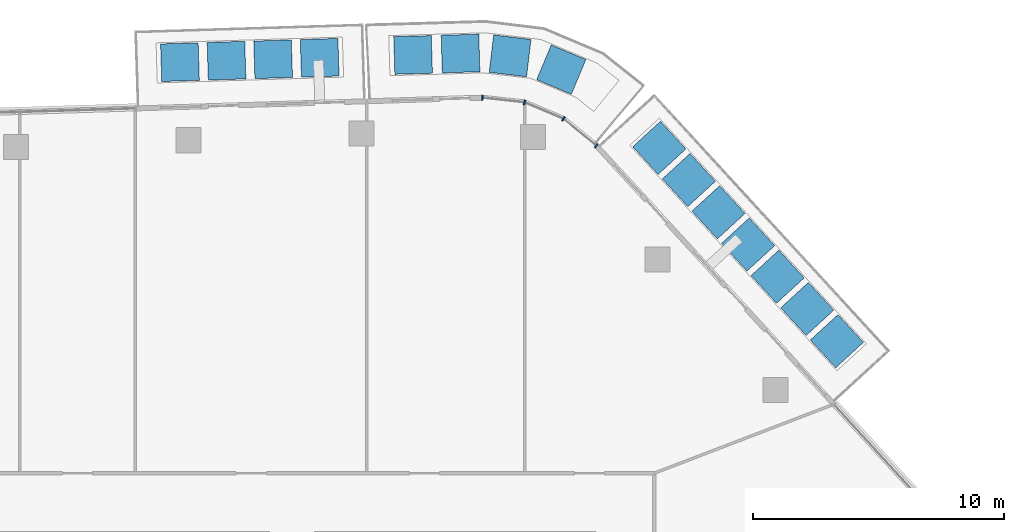
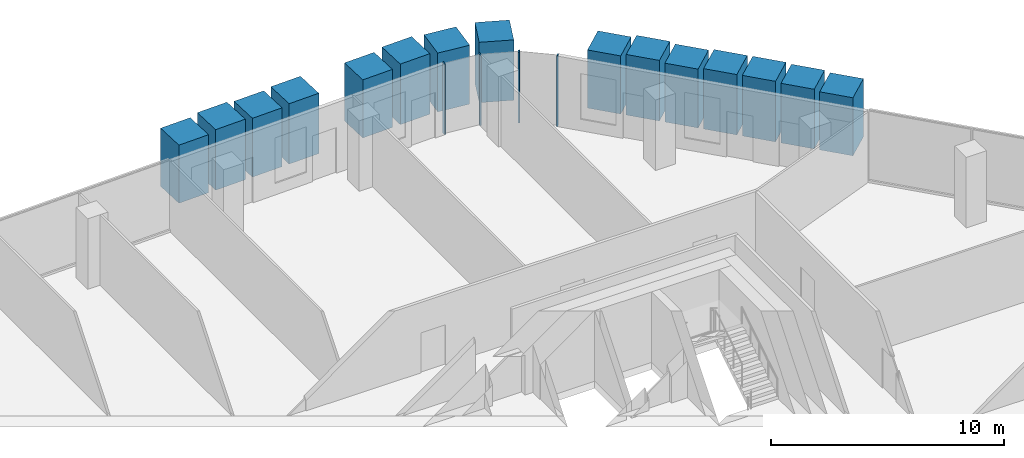
# One storey, part 9 of 24: 19 members, 1 element without a shape of its own.
"""IFC4 building model written with IfcOpenShell, lengths in metres."""

import ifcopenshell
import ifcopenshell.guid

model = None  # the IFC model being written
_history = None  # IfcOwnerHistory: only IFC2X3 demands one
_inside = {}  # id of a spatial element -> (the spatial element, [elements in it])
_under = {}  # id of a project, library or spatial element -> (it, [spatial elements below it])
_declared = {}  # id of a project -> (the project, [libraries it declares])
_typed = {}  # id of a type object -> (the type object, [elements of that type])
_made_of = {}  # id of a material, layer set ... -> (it, [elements and type objects made of it])


def new_model(schema):
    """Start an empty IFC model of exactly this schema.

    Asked for "IFC4X3", IfcOpenShell would pick the latest addendum, in which some entities
    have other attributes; the version numbers below select the first issue.
    IFC2X3 requires an IfcOwnerHistory on every rooted entity: one is made here for all.
    """
    global model, _history
    if schema == "IFC4X3":
        model = ifcopenshell.file(schema_version=(4, 3, 0, 0))
    else:
        model = ifcopenshell.file(schema=schema)
    _inside.clear()
    _under.clear()
    _declared.clear()
    _typed.clear()
    _made_of.clear()
    _history = None
    if model.schema == "IFC2X3":
        org = make("IfcOrganization", Name="unknown")
        user = make(
            "IfcPersonAndOrganization",
            ThePerson=make("IfcPerson", FamilyName="unknown"),
            TheOrganization=org,
        )
        app = make(
            "IfcApplication",
            ApplicationDeveloper=org,
            Version="unknown",
            ApplicationFullName="unknown",
            ApplicationIdentifier="unknown",
        )
        _history = make(
            "IfcOwnerHistory",
            OwningUser=user,
            OwningApplication=app,
            ChangeAction="ADDED",
            CreationDate=0,
        )
    return model


def make(cls, **values):
    """One entity of the class cls with the attributes given. An attribute that is None is left unset."""
    return model.create_entity(
        cls, **{name: value for name, value in values.items() if value is not None}
    )


def rooted(cls, **values):
    """An entity with a GlobalId (a new one), such as an element, a storey or a relation."""
    return make(cls, GlobalId=ifcopenshell.guid.new(), OwnerHistory=_history, **values)


def si_unit(unit_type, name, prefix=None):
    """IfcSIUnit, for example si_unit("LENGTHUNIT", "METRE", prefix="MILLI")."""
    return make("IfcSIUnit", UnitType=unit_type, Prefix=prefix, Name=name)


def assignment(units):
    """IfcUnitAssignment: the units of a project."""
    return None if units is None else make("IfcUnitAssignment", Units=units)


def point(xyz):
    """IfcCartesianPoint."""
    return None if xyz is None else make("IfcCartesianPoint", Coordinates=xyz)


def direction(xyz):
    """IfcDirection."""
    return None if xyz is None else make("IfcDirection", DirectionRatios=xyz)


def frame(location, z_axis=None, x_axis=None):
    """IfcAxis2Placement3D, a coordinate frame: its origin and axes. An axis left out is left unset."""
    return make(
        "IfcAxis2Placement3D",
        Location=point(location),
        Axis=direction(z_axis),
        RefDirection=direction(x_axis),
    )


def frame_2d(location, x_axis=None):
    """IfcAxis2Placement2D, a coordinate frame in the plane: its origin and x axis."""
    return make(
        "IfcAxis2Placement2D", Location=point(location), RefDirection=direction(x_axis)
    )


def origin():
    """The frame at (0, 0, 0) with its axes left unset."""
    return frame((0.0, 0.0, 0.0))


def origin_2d():
    """The frame at (0, 0) in the plane with its x axis left unset."""
    return frame_2d((0.0, 0.0))


def place(relative_to, where):
    """IfcLocalPlacement: puts the frame where relative to a parent placement (None: the world)."""
    return make(
        "IfcLocalPlacement", PlacementRelTo=relative_to, RelativePlacement=where
    )


def context(
    kind, dimensions, precision=None, world=None, true_north=None, identifier=None
):
    """IfcGeometricRepresentationContext, for example the 3D "Model" context."""
    return make(
        "IfcGeometricRepresentationContext",
        ContextIdentifier=identifier,
        ContextType=kind,
        CoordinateSpaceDimension=dimensions,
        Precision=precision,
        WorldCoordinateSystem=world,
        TrueNorth=true_north,
    )


def subcontext(parent, identifier, kind, view, scale=None):
    """IfcGeometricRepresentationSubContext, for example "Body" below "Model"."""
    return make(
        "IfcGeometricRepresentationSubContext",
        ContextIdentifier=identifier,
        ContextType=kind,
        ParentContext=parent,
        TargetScale=scale,
        TargetView=view,
    )


def project(units=None, contexts=None):
    """IfcProject with its units and contexts."""
    return rooted(
        "IfcProject",
        Name="project",
        RepresentationContexts=contexts,
        UnitsInContext=assignment(units),
    )


def spatial(cls, under=None, at=None, **own):
    """A site, building, storey or space (cls), placed at a placement, below another one or the project."""
    s = rooted(cls, ObjectPlacement=at, **own)
    if under is not None:
        _under.setdefault(under.id(), (under, []))[1].append(s)
    return s


def profile(cls, at=None, kind="AREA", **sizes):
    """A parametric profile (cls). Its sizes go by their IFC names, for example OverallWidth=200.0."""
    return make(cls, ProfileType=kind, Position=at, **sizes)


def rectangle(**sizes):
    """IfcRectangleProfileDef."""
    return profile("IfcRectangleProfileDef", **sizes)


def extrude(swept, where, along, depth):
    """IfcExtrudedAreaSolid: the profile swept, set in the frame where, extruded along a direction by depth."""
    return make(
        "IfcExtrudedAreaSolid",
        SweptArea=swept,
        Position=where,
        ExtrudedDirection=direction(along),
        Depth=depth,
    )


def shape(context_of_items, identifier, shape_type, items):
    """IfcShapeRepresentation: the items that make up one representation, for example the "Body"."""
    return make(
        "IfcShapeRepresentation",
        ContextOfItems=context_of_items,
        RepresentationIdentifier=identifier,
        RepresentationType=shape_type,
        Items=items,
    )


def material(Name=None, Category=None):
    """IfcMaterial."""
    return make("IfcMaterial", Name=Name, Category=Category)


def layer(
    of_material, thickness, ventilated=None, Name=None, Category=None, Priority=None
):
    """IfcMaterialLayer: one layer of a wall or slab, of a material (None: an air gap)."""
    return make(
        "IfcMaterialLayer",
        Material=of_material,
        LayerThickness=thickness,
        IsVentilated=ventilated,
        Name=Name,
        Category=Category,
        Priority=Priority,
    )


def layer_set(layers, Name=None):
    """IfcMaterialLayerSet."""
    return make("IfcMaterialLayerSet", MaterialLayers=layers, LayerSetName=Name)


def material_profile(
    of_material, cross_section, Name=None, Category=None, Priority=None
):
    """IfcMaterialProfile: a cross section and its material."""
    return make(
        "IfcMaterialProfile",
        Name=Name,
        Material=of_material,
        Profile=cross_section,
        Priority=Priority,
        Category=Category,
    )


def profile_set(profiles, Name=None, composite=None):
    """IfcMaterialProfileSet."""
    return make(
        "IfcMaterialProfileSet",
        Name=Name,
        MaterialProfiles=profiles,
        CompositeProfile=composite,
    )


def made_of(thing, what):
    """Note that an element or type object is made of a material, layer set ...; save() writes the relation."""
    if what is not None:
        _made_of.setdefault(what.id(), (what, []))[1].append(thing)
    return thing


def type_object(cls, material=None, **own):
    """A type object (cls), such as IfcWallType, which elements share."""
    return made_of(rooted(cls, **own), material)


def element(
    cls,
    number,
    at=None,
    inside=None,
    cuts=None,
    type_object=None,
    material=None,
    context=None,
    identifier="Body",
    shape_type=None,
    held_by="IfcProductDefinitionShape",
    body=None,
    shapes=None,
    **own,
):
    """One element of the class cls, such as IfcWall. Its Tag is "e" and its number.

    at: its placement. inside: the storey or other place that contains it. cuts: it is an
    opening in that element (IfcRelVoidsElement). A single representation is given by context,
    identifier, shape_type and body (its items); several are given by shapes. held_by: the class
    of the entity that holds the representations. save() writes the other relations.
    """
    e = rooted(cls, Tag="e%d" % number, ObjectPlacement=at, **own)
    if body is not None:
        shapes = [shape(context, identifier, shape_type, body)]
    if shapes is not None:
        e.Representation = make(held_by, Representations=shapes)
    if inside is not None:
        _inside.setdefault(inside.id(), (inside, []))[1].append(e)
    if cuts is not None:
        rooted(
            "IfcRelVoidsElement", RelatingBuildingElement=cuts, RelatedOpeningElement=e
        )
    if type_object is not None:
        _typed.setdefault(type_object.id(), (type_object, []))[1].append(e)
    return made_of(e, material)


def aggregate(whole, parts):
    """IfcRelAggregates: a whole, such as a stair, and the parts it consists of."""
    return rooted("IfcRelAggregates", RelatingObject=whole, RelatedObjects=parts)


def save(model, path):
    """Write the relations noted so far, then the file.

    IfcRelAggregates (storeys below a building ...), IfcRelContainedInSpatialStructure (elements
    in a storey), IfcRelDefinesByType, IfcRelAssociatesMaterial and IfcRelDeclares: one each for
    every whole, place, type object, material and project.
    """
    for whole, parts in _under.values():
        aggregate(whole, parts)
    for where, things in _inside.values():
        rooted(
            "IfcRelContainedInSpatialStructure",
            RelatedElements=things,
            RelatingStructure=where,
        )
    for kind, things in _typed.values():
        rooted("IfcRelDefinesByType", RelatedObjects=things, RelatingType=kind)
    for what, things in _made_of.values():
        rooted("IfcRelAssociatesMaterial", RelatedObjects=things, RelatingMaterial=what)
    for by, libraries in _declared.values():
        rooted("IfcRelDeclares", RelatingContext=by, RelatedDefinitions=libraries)
    model.write(path)


model = new_model("IFC4")

# Units and contexts
model_context = context("Model", 3, precision=1e-05, world=origin(), true_north=direction((0.0, 1.0)))
body_context = subcontext(model_context, "Body", "Model", "MODEL_VIEW")
ifc_project = project(units=[si_unit("LENGTHUNIT", "METRE"), si_unit("AREAUNIT", "SQUARE_METRE"), si_unit("VOLUMEUNIT", "CUBIC_METRE"), si_unit("PLANEANGLEUNIT", "RADIAN"), si_unit("MASSUNIT", "GRAM", prefix="KILO")], contexts=[model_context])

# Site, building, storey
site_placement = place(None, origin())
site = spatial("IfcSite", under=ifc_project, at=site_placement, CompositionType="ELEMENT")
building_placement = place(site_placement, origin())
building = spatial("IfcBuilding", under=site, at=building_placement, Name="Dongbaek Canopy Tower", CompositionType="ELEMENT")
storey_placement = place(building_placement, frame((0.0, 0.0, 348.800048828125)))
storey = spatial("IfcBuildingStorey", under=building, at=storey_placement, Name="L75", CompositionType="ELEMENT", Elevation=348.800048828125)

# Curtain wall, members
ifc_material_1 = material(Name="Aluminium 6063-T6 pale anodised", Category="aluminium")
ifc_layer = layer(ifc_material_1, 0.199951171875)
ifc_layer_set = layer_set([ifc_layer], Name="CW-1 unitised tower curtain wall")
curtain_wall_type = type_object("IfcCurtainWallType", Name="CW-1 unitised tower curtain wall", PredefinedType="NOTDEFINED", material=ifc_layer_set)
curtain_wall_placement = place(storey_placement, origin())
curtain_wall = element("IfcCurtainWall", 1, at=curtain_wall_placement, inside=storey, type_object=curtain_wall_type, Name="CW-1 curtain wall K1.1", PredefinedType="NOTDEFINED")
ifc_material_2 = material(Name="Aluminium 6063-T6 pale anodised", Category="aluminium")
ifc_material_profile_1 = material_profile(ifc_material_2, rectangle(XDim=0.199951171875, YDim=0.06005859375, at=origin_2d()), Name="CW-1 mullion 60 x 200")
ifc_profile_set_1 = profile_set([ifc_material_profile_1], Name="Aluminium 6063-T6 pale anodised")
member_type_1 = type_object("IfcMemberType", Name="CW-1 mullion 60 x 200", PredefinedType="MULLION", material=ifc_profile_set_1)
member_1_placement = place(storey_placement, frame((14.840087890625, 27.214111328125, 0.0), z_axis=(0.0, 0.0, 1.0), x_axis=(0.632529896044, 0.774535945331, 0.0)))
member_1 = element("IfcMember", 2, at=member_1_placement, type_object=member_type_1, Name="CW-1 mullion K1.1.1", PredefinedType="MULLION", context=body_context, shape_type="SweptSolid", body=[
    extrude(rectangle(XDim=0.199951171875, YDim=0.06005859375, at=origin_2d()), origin(), (0.0, 0.0, 1.0), 3.699951171875),
])
member_2_placement = place(storey_placement, frame((13.53076171875, 28.283447265625, 0.0), z_axis=(0.0, 0.0, 1.0), x_axis=(0.515550928546, 0.856858938259, 0.0)))
member_2 = element("IfcMember", 3, at=member_2_placement, type_object=member_type_1, Name="CW-1 mullion K1.1.2", PredefinedType="MULLION", context=body_context, shape_type="SweptSolid", body=[
    extrude(rectangle(XDim=0.199951171875, YDim=0.06005859375, at=origin_2d()), origin(), (0.0, 0.0, 1.0), 3.699951171875),
])
member_3_placement = place(storey_placement, frame((11.979248046875, 28.9365234375, 0.0), z_axis=(0.0, 0.0, 1.0), x_axis=(0.25255605733, 0.967582264154, 0.0)))
member_3 = element("IfcMember", 4, at=member_3_placement, type_object=member_type_1, Name="CW-1 mullion K1.1.3", PredefinedType="MULLION", context=body_context, shape_type="SweptSolid", body=[
    extrude(rectangle(XDim=0.199951171875, YDim=0.06005859375, at=origin_2d()), origin(), (0.0, 0.0, 1.0), 3.699951171875),
])
member_4_placement = place(storey_placement, frame((10.29931640625, 29.125732421875, 0.0), z_axis=(0.0, 0.0, 1.0), x_axis=(0.111921332156, 0.9937170701, 0.0)))
member_4 = element("IfcMember", 5, at=member_4_placement, type_object=member_type_1, Name="CW-1 mullion K1.1.4", PredefinedType="MULLION", context=body_context, shape_type="SweptSolid", body=[
    extrude(rectangle(XDim=0.199951171875, YDim=0.06005859375, at=origin_2d()), origin(), (0.0, 0.0, 1.0), 3.699951171875),
])
aggregate(curtain_wall, [member_1, member_2, member_3, member_4])

# Members
ifc_material_3 = material(Name="Concrete C40/50 planter mass with planting", Category="concrete")
ifc_material_profile_2 = material_profile(ifc_material_3, rectangle(XDim=1.5, YDim=1.5, at=origin_2d()), Name="Terrace PLANTER shrub mass 1500 x 1500")
ifc_profile_set_2 = profile_set([ifc_material_profile_2], Name="Concrete C40/50 planter mass with planting")
member_type_2 = type_object("IfcMemberType", Name="Terrace PLANTER shrub mass 1500 x 1500", PredefinedType="USERDEFINED", material=ifc_profile_set_2)
member_5_placement = place(storey_placement, frame((24.4326171875, 19.414306640625, 0.419921875), z_axis=(0.0, 0.0, 1.0), x_axis=(0.736566571941, 0.676365053133, 0.0)))
element("IfcMember", 6, at=member_5_placement, inside=storey, type_object=member_type_2, Name="Planter shrubs L75 1.1", ObjectType="PLANTER", PredefinedType="USERDEFINED", context=body_context, shape_type="SweptSolid", body=[
    extrude(rectangle(XDim=1.5, YDim=1.5, at=origin_2d()), origin(), (0.0, 0.0, 1.0), 3.050048828125),
])
member_6_placement = place(storey_placement, frame((23.25244140625, 20.69921875, 0.419921875), z_axis=(0.0, 0.0, 1.0), x_axis=(0.736566571941, 0.676365053133, 0.0)))
element("IfcMember", 7, at=member_6_placement, inside=storey, type_object=member_type_2, Name="Planter shrubs L75 1.2", ObjectType="PLANTER", PredefinedType="USERDEFINED", context=body_context, shape_type="SweptSolid", body=[
    extrude(rectangle(XDim=1.5, YDim=1.5, at=origin_2d()), origin(), (0.0, 0.0, 1.0), 3.130126953125),
])
member_7_placement = place(storey_placement, frame((22.072509765625, 21.984375, 0.419921875), z_axis=(0.0, 0.0, 1.0), x_axis=(0.736566571941, 0.676365053133, 0.0)))
element("IfcMember", 8, at=member_7_placement, inside=storey, type_object=member_type_2, Name="Planter shrubs L75 1.3", ObjectType="PLANTER", PredefinedType="USERDEFINED", context=body_context, shape_type="SweptSolid", body=[
    extrude(rectangle(XDim=1.5, YDim=1.5, at=origin_2d()), origin(), (0.0, 0.0, 1.0), 3.179931640625),
])
member_8_placement = place(storey_placement, frame((20.892578125, 23.269287109375, 0.419921875), z_axis=(0.0, 0.0, 1.0), x_axis=(0.736566571941, 0.676365053133, 0.0)))
element("IfcMember", 9, at=member_8_placement, inside=storey, type_object=member_type_2, Name="Planter shrubs L75 1.4", ObjectType="PLANTER", PredefinedType="USERDEFINED", context=body_context, shape_type="SweptSolid", body=[
    extrude(rectangle(XDim=1.5, YDim=1.5, at=origin_2d()), origin(), (0.0, 0.0, 1.0), 3.169921875),
])
member_9_placement = place(storey_placement, frame((19.71240234375, 24.554443359375, 0.419921875), z_axis=(0.0, 0.0, 1.0), x_axis=(0.736566571941, 0.676365053133, 0.0)))
element("IfcMember", 10, at=member_9_placement, inside=storey, type_object=member_type_2, Name="Planter shrubs L75 1.5", ObjectType="PLANTER", PredefinedType="USERDEFINED", context=body_context, shape_type="SweptSolid", body=[
    extrude(rectangle(XDim=1.5, YDim=1.5, at=origin_2d()), origin(), (0.0, 0.0, 1.0), 3.090087890625),
])
member_10_placement = place(storey_placement, frame((18.532470703125, 25.839599609375, 0.419921875), z_axis=(0.0, 0.0, 1.0), x_axis=(0.736566571941, 0.676365053133, 0.0)))
element("IfcMember", 11, at=member_10_placement, inside=storey, type_object=member_type_2, Name="Planter shrubs L75 1.6", ObjectType="PLANTER", PredefinedType="USERDEFINED", context=body_context, shape_type="SweptSolid", body=[
    extrude(rectangle(XDim=1.5, YDim=1.5, at=origin_2d()), origin(), (0.0, 0.0, 1.0), 3.179931640625),
])
member_11_placement = place(storey_placement, frame((17.352294921875, 27.12451171875, 0.419921875), z_axis=(0.0, 0.0, 1.0), x_axis=(0.736566571941, 0.676365053133, 0.0)))
element("IfcMember", 12, at=member_11_placement, inside=storey, type_object=member_type_2, Name="Planter shrubs L75 1.7", ObjectType="PLANTER", PredefinedType="USERDEFINED", context=body_context, shape_type="SweptSolid", body=[
    extrude(rectangle(XDim=1.5, YDim=1.5, at=origin_2d()), origin(), (0.0, 0.0, 1.0), 3.050048828125),
])
member_12_placement = place(storey_placement, frame((3.808349609375, 30.71533203125, 0.419921875), z_axis=(0.0, 0.0, 1.0), x_axis=(-0.031003432615, 0.999519278036, 0.0)))
element("IfcMember", 13, at=member_12_placement, inside=storey, type_object=member_type_2, Name="Planter shrubs L75 2.1", ObjectType="PLANTER", PredefinedType="USERDEFINED", context=body_context, shape_type="SweptSolid", body=[
    extrude(rectangle(XDim=1.5, YDim=1.5, at=origin_2d()), origin(), (0.0, 0.0, 1.0), 3.169921875),
])
member_13_placement = place(storey_placement, frame((1.950927734375, 30.65771484375, 0.419921875), z_axis=(0.0, 0.0, 1.0), x_axis=(-0.031003432615, 0.999519278036, 0.0)))
element("IfcMember", 14, at=member_13_placement, inside=storey, type_object=member_type_2, Name="Planter shrubs L75 2.2", ObjectType="PLANTER", PredefinedType="USERDEFINED", context=body_context, shape_type="SweptSolid", body=[
    extrude(rectangle(XDim=1.5, YDim=1.5, at=origin_2d()), origin(), (0.0, 0.0, 1.0), 3.090087890625),
])
member_14_placement = place(storey_placement, frame((0.09326171875, 30.60009765625, 0.419921875), z_axis=(0.0, 0.0, 1.0), x_axis=(-0.031003432615, 0.999519278036, 0.0)))
element("IfcMember", 15, at=member_14_placement, inside=storey, type_object=member_type_2, Name="Planter shrubs L75 2.3", ObjectType="PLANTER", PredefinedType="USERDEFINED", context=body_context, shape_type="SweptSolid", body=[
    extrude(rectangle(XDim=1.5, YDim=1.5, at=origin_2d()), origin(), (0.0, 0.0, 1.0), 3.179931640625),
])
member_15_placement = place(storey_placement, frame((-1.76416015625, 30.54248046875, 0.419921875), z_axis=(0.0, 0.0, 1.0), x_axis=(-0.031003432615, 0.999519278036, 0.0)))
element("IfcMember", 16, at=member_15_placement, inside=storey, type_object=member_type_2, Name="Planter shrubs L75 2.4", ObjectType="PLANTER", PredefinedType="USERDEFINED", context=body_context, shape_type="SweptSolid", body=[
    extrude(rectangle(XDim=1.5, YDim=1.5, at=origin_2d()), origin(), (0.0, 0.0, 1.0), 3.050048828125),
])
member_16_placement = place(storey_placement, frame((13.44287109375, 30.24365234375, 0.419921875), z_axis=(0.0, 0.0, 1.0), x_axis=(0.388023194103, 0.921649608494, 0.0)))
element("IfcMember", 17, at=member_16_placement, inside=storey, type_object=member_type_2, Name="Planter shrubs L75 6.1", ObjectType="PLANTER", PredefinedType="USERDEFINED", context=body_context, shape_type="SweptSolid", body=[
    extrude(rectangle(XDim=1.5, YDim=1.5, at=origin_2d()), origin(), (0.0, 0.0, 1.0), 3.169921875),
])
member_17_placement = place(storey_placement, frame((11.40185546875, 30.7919921875, 0.419921875), z_axis=(0.0, 0.0, 1.0), x_axis=(0.118129058491, 0.992998250522, 0.0)))
element("IfcMember", 18, at=member_17_placement, inside=storey, type_object=member_type_2, Name="Planter shrubs L75 6.2", ObjectType="PLANTER", PredefinedType="USERDEFINED", context=body_context, shape_type="SweptSolid", body=[
    extrude(rectangle(XDim=1.5, YDim=1.5, at=origin_2d()), origin(), (0.0, 0.0, 1.0), 3.090087890625),
])
member_18_placement = place(storey_placement, frame((9.425537109375, 30.88623046875, 0.419921875), z_axis=(0.0, 0.0, 1.0), x_axis=(-0.029861282515, 0.999554052469, 0.0)))
element("IfcMember", 19, at=member_18_placement, inside=storey, type_object=member_type_2, Name="Planter shrubs L75 6.3", ObjectType="PLANTER", PredefinedType="USERDEFINED", context=body_context, shape_type="SweptSolid", body=[
    extrude(rectangle(XDim=1.5, YDim=1.5, at=origin_2d()), origin(), (0.0, 0.0, 1.0), 3.179931640625),
])
member_19_placement = place(storey_placement, frame((7.532470703125, 30.82958984375, 0.419921875), z_axis=(0.0, 0.0, 1.0), x_axis=(-0.029861282515, 0.999554052469, 0.0)))
element("IfcMember", 20, at=member_19_placement, inside=storey, type_object=member_type_2, Name="Planter shrubs L75 6.4", ObjectType="PLANTER", PredefinedType="USERDEFINED", context=body_context, shape_type="SweptSolid", body=[
    extrude(rectangle(XDim=1.5, YDim=1.5, at=origin_2d()), origin(), (0.0, 0.0, 1.0), 3.050048828125),
])

save(model, "model.ifc")
